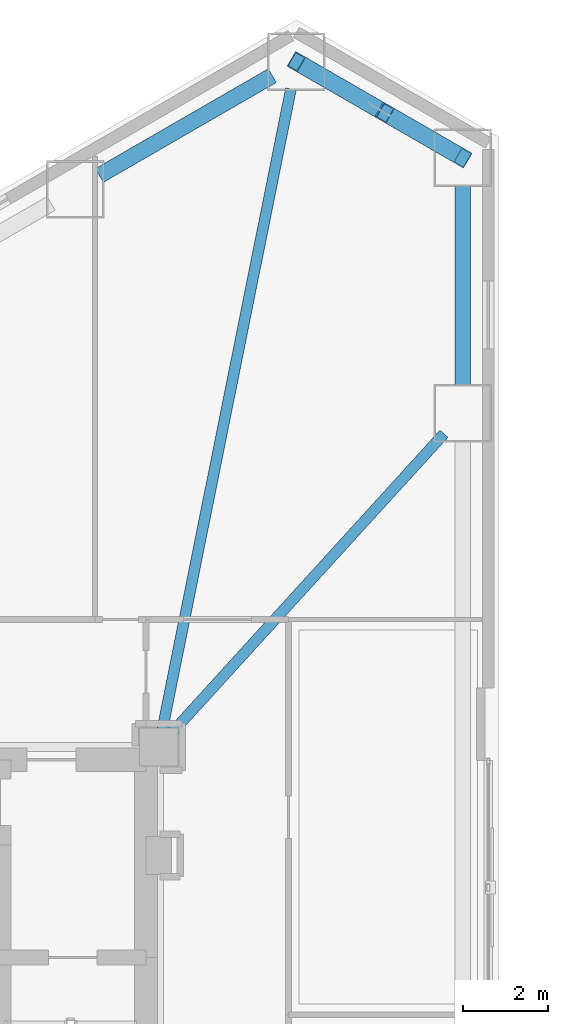
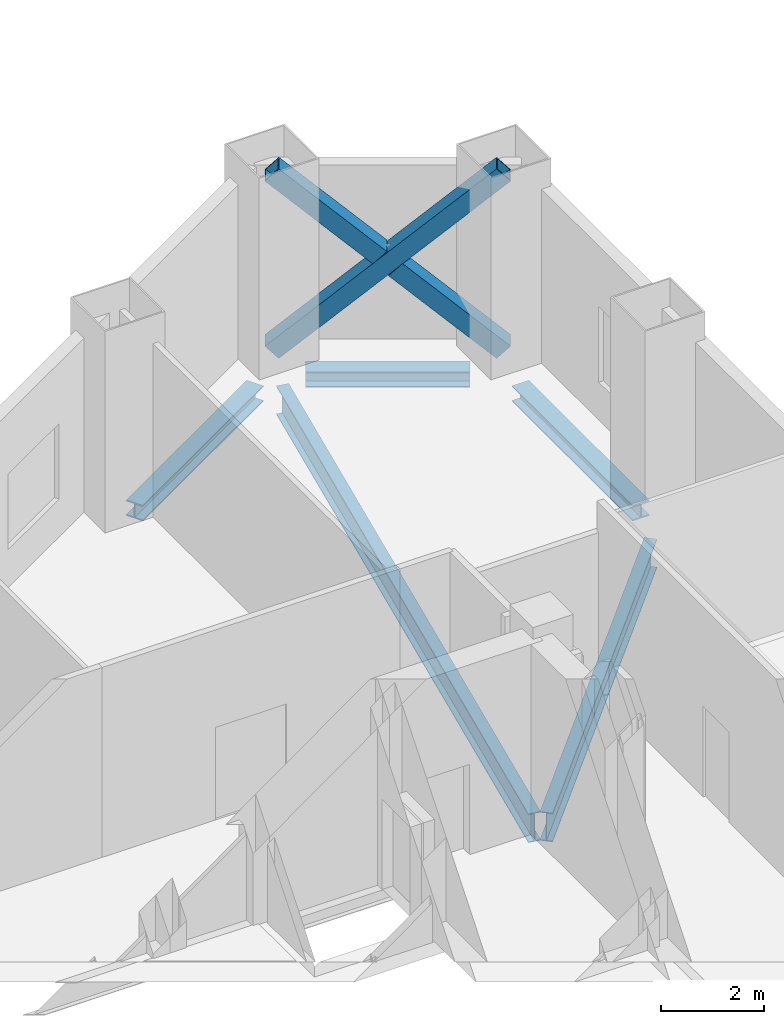
# One storey, part 14 of 27: 5 beams, 3 members.
"""IFC4 building model written with IfcOpenShell, lengths in metres."""

from ifc_helpers import new_model, si_unit, direction, frame, origin, origin_2d, place, context, subcontext, project, spatial, hollow_rectangle, i_section, extrude, material, material_profile, profile_set, type_object, element, save


model = new_model("IFC4")

# Units and contexts
model_context = context("Model", 3, precision=1e-05, world=origin(), true_north=direction((0.0, 1.0)))
body_context = subcontext(model_context, "Body", "Model", "MODEL_VIEW")
ifc_project = project(units=[si_unit("LENGTHUNIT", "METRE"), si_unit("AREAUNIT", "SQUARE_METRE"), si_unit("VOLUMEUNIT", "CUBIC_METRE"), si_unit("PLANEANGLEUNIT", "RADIAN"), si_unit("MASSUNIT", "GRAM", prefix="KILO")], contexts=[model_context])

# Site, building, storey
site_placement = place(None, origin())
site = spatial("IfcSite", under=ifc_project, at=site_placement, CompositionType="ELEMENT")
building_placement = place(site_placement, origin())
building = spatial("IfcBuilding", under=site, at=building_placement, Name="Mersakhor Tower and Convention Hall", CompositionType="ELEMENT")
storey_placement = place(building_placement, frame((0.0, 0.0, 14.39990234375)))
storey = spatial("IfcBuildingStorey", under=building, at=storey_placement, Name="L03", CompositionType="ELEMENT", Elevation=14.39990234375)

# Beams
ifc_material_1 = material(Name="Steel S355", Category="steel")
ifc_material_profile_1 = material_profile(ifc_material_1, i_section(OverallWidth=0.25439453125, OverallDepth=0.6875, WebThickness=0.01318359375, FlangeThickness=0.02099609375, at=origin_2d()), Name="UB 686x254x152")
ifc_profile_set_1 = profile_set([ifc_material_profile_1], Name="Steel S355")
beam_type_1 = type_object("IfcBeamType", Name="BM-PR-686", PredefinedType="BEAM", material=ifc_profile_set_1)
beam_1_placement = place(storey_placement, frame((36.1845703125, 33.4716796875, -0.66357421875), z_axis=(0.196849718138, 0.980433673672, 0.0), x_axis=(-0.980433673672, 0.196849718138, 0.0)))
element("IfcBeam", 1, at=beam_1_placement, inside=storey, type_object=beam_type_1, Name="L03 Primary Floor Girder FG-2", PredefinedType="BEAM", context=body_context, shape_type="SweptSolid", body=[
    extrude(i_section(OverallWidth=0.25439453125, OverallDepth=0.6875, WebThickness=0.01318359375, FlangeThickness=0.02099609375, at=origin_2d()), origin(), (0.0, 0.0, 1.0), 15.359130859375),
])
beam_2_placement = place(storey_placement, frame((36.389404296875, 33.367919921875, -0.66357421875), z_axis=(0.67316322447, 0.739493930483, 0.0), x_axis=(-0.739493930483, 0.67316322447, 0.0)))
element("IfcBeam", 2, at=beam_2_placement, inside=storey, type_object=beam_type_1, Name="L03 Primary Floor Girder FG-3", PredefinedType="BEAM", context=body_context, shape_type="SweptSolid", body=[
    extrude(i_section(OverallWidth=0.25439453125, OverallDepth=0.6875, WebThickness=0.01318359375, FlangeThickness=0.02099609375, at=origin_2d()), origin(), (0.0, 0.0, 1.0), 9.53662109375),
])
ifc_material_2 = material(Name="Steel S355", Category="steel")
ifc_material_profile_2 = material_profile(ifc_material_2, i_section(OverallWidth=0.374755859375, OverallDepth=0.37451171875, WebThickness=0.0166015625, FlangeThickness=0.027099609375, at=origin_2d()), Name="UC 356x368x202")
ifc_profile_set_2 = profile_set([ifc_material_profile_2], Name="Steel S355")
beam_type_2 = type_object("IfcBeamType", Name="BM-SPD-UC356", PredefinedType="SPANDREL", material=ifc_profile_set_2)
beam_3_placement = place(storey_placement, frame((34.700439453125, 46.49560546875, -0.50732421875), z_axis=(0.866031574723, 0.499989311469, 0.0), x_axis=(-0.499989311469, 0.866031574723, 0.0)))
element("IfcBeam", 3, at=beam_3_placement, inside=storey, type_object=beam_type_2, Name="L03 Perimeter Spandrel Beam SPB-03", PredefinedType="SPANDREL", context=body_context, shape_type="SweptSolid", body=[
    extrude(i_section(OverallWidth=0.374755859375, OverallDepth=0.37451171875, WebThickness=0.0166015625, FlangeThickness=0.027099609375, at=origin_2d()), origin(), (0.0, 0.0, 1.0), 4.69873046875),
])
beam_4_placement = place(storey_placement, frame((39.904052734375, 48.844970703125, -0.50732421875), z_axis=(0.866038607556, -0.4999771297, 0.0), x_axis=(0.4999771297, 0.866038607556, 0.0)))
element("IfcBeam", 4, at=beam_4_placement, inside=storey, type_object=beam_type_2, Name="L03 Perimeter Spandrel Beam SPB-04", PredefinedType="SPANDREL", context=body_context, shape_type="SweptSolid", body=[
    extrude(i_section(OverallWidth=0.374755859375, OverallDepth=0.37451171875, WebThickness=0.0166015625, FlangeThickness=0.027099609375, at=origin_2d()), origin(), (0.0, 0.0, 1.0), 3.208740234375),
])
beam_5_placement = place(storey_placement, frame((43.25, 46.25830078125, -0.50732421875), z_axis=(0.0, -1.0, 0.0), x_axis=(1.0, 0.0, 0.0)))
element("IfcBeam", 5, at=beam_5_placement, inside=storey, type_object=beam_type_2, Name="L03 Perimeter Spandrel Beam SPB-05", PredefinedType="SPANDREL", context=body_context, shape_type="SweptSolid", body=[
    extrude(i_section(OverallWidth=0.374755859375, OverallDepth=0.37451171875, WebThickness=0.0166015625, FlangeThickness=0.027099609375, at=origin_2d()), origin(), (0.0, 0.0, 1.0), 4.69873046875),
])

# Members
ifc_material_3 = material(Name="Steel S460", Category="steel")
ifc_material_profile_3 = material_profile(ifc_material_3, hollow_rectangle(XDim=0.39990234375, YDim=0.39990234375, WallThickness=0.02490234375, at=origin_2d()), Name="SHS 400x400x25")
ifc_profile_set_3 = profile_set([ifc_material_profile_3], Name="Steel S460")
member_type = type_object("IfcMemberType", Name="MB-BRC-SHS400", PredefinedType="BRACE", material=ifc_profile_set_3)
member_1_placement = place(storey_placement, frame((39.3369140625, 49.172607421875, 0.150146484375), z_axis=(0.632917613168, -0.36542423211, 0.682554338883), x_axis=(0.500009315796, 0.86602002524, 0.0)))
element("IfcMember", 6, at=member_1_placement, inside=storey, type_object=member_type, Name="L03 Chamfer Braced Frame Diagonal CB-1A", PredefinedType="BRACE", context=body_context, shape_type="SweptSolid", body=[
    extrude(hollow_rectangle(XDim=0.39990234375, YDim=0.39990234375, WallThickness=0.02490234375, at=origin_2d()), origin(), (0.0, 0.0, 1.0), 6.1826171875),
])
member_2_placement = place(storey_placement, frame((43.25, 46.913330078125, 0.150146484375), z_axis=(-0.632964068528, 0.36543215891, 0.682507014753), x_axis=(-0.499989926711, -0.866031219522, 0.0)))
element("IfcMember", 7, at=member_2_placement, inside=storey, type_object=member_type, Name="L03 Chamfer Braced Frame Diagonal CB-1B Lower Half", PredefinedType="BRACE", context=body_context, shape_type="SweptSolid", body=[
    extrude(hollow_rectangle(XDim=0.39990234375, YDim=0.39990234375, WallThickness=0.02490234375, at=origin_2d()), origin(), (0.0, 0.0, 1.0), 2.8828125),
])
member_3_placement = place(storey_placement, frame((41.16162109375, 48.119140625, 2.40234375), z_axis=(-0.632927483665, 0.365411037197, 0.682552250246), x_axis=(-0.499989926711, -0.866031219522, 0.0)))
element("IfcMember", 8, at=member_3_placement, inside=storey, type_object=member_type, Name="L03 Chamfer Braced Frame Diagonal CB-1B Upper Half", PredefinedType="BRACE", context=body_context, shape_type="SweptSolid", body=[
    extrude(hollow_rectangle(XDim=0.39990234375, YDim=0.39990234375, WallThickness=0.02490234375, at=origin_2d()), origin(), (0.0, 0.0, 1.0), 2.883056640625),
])

save(model, "model.ifc")
